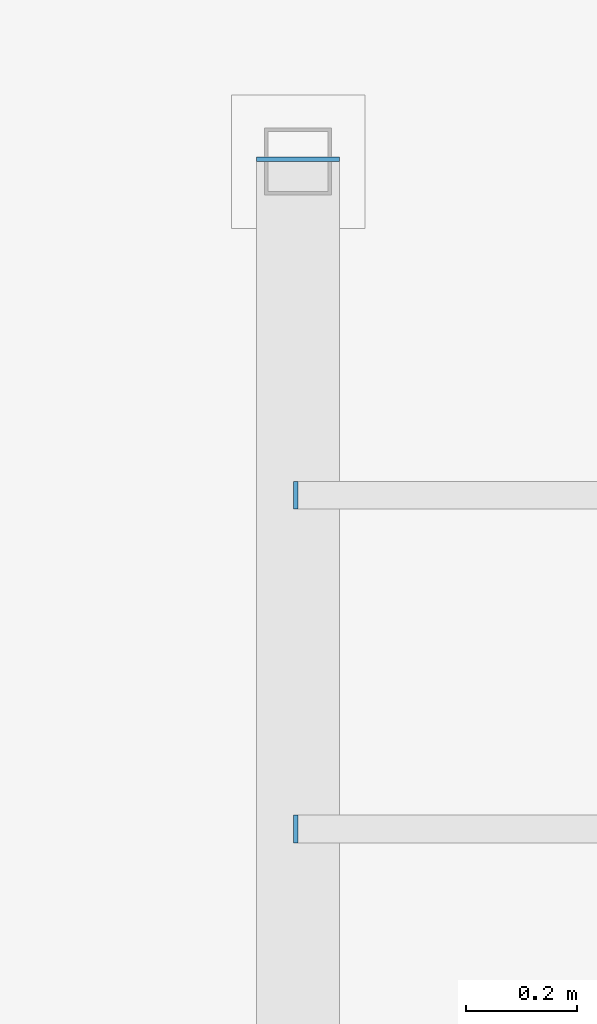
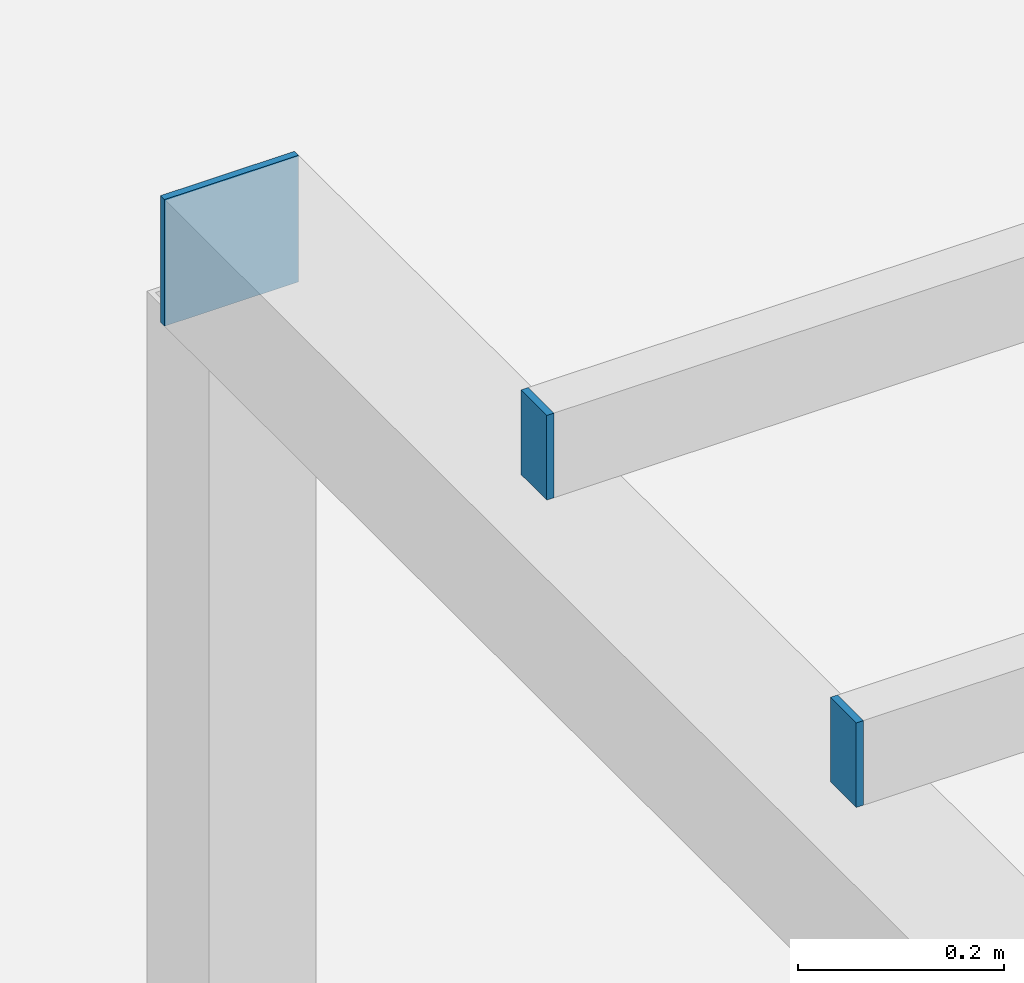
# One storey, part 77 of 92: 3 discrete accessories.
"""IFC4 building model written with IfcOpenShell, lengths in metres."""

from ifc_helpers import new_model, si_unit, direction, frame, origin, origin_2d, place, context, subcontext, project, spatial, rectangle, extrude, material, material_profile, profile_set, type_object, element, save


model = new_model("IFC4")

# Units and contexts
model_context = context("Model", 3, precision=1e-05, world=origin(), true_north=direction((0.0, 1.0)))
body_context = subcontext(model_context, "Body", "Model", "MODEL_VIEW")
ifc_project = project(units=[si_unit("LENGTHUNIT", "METRE"), si_unit("AREAUNIT", "SQUARE_METRE"), si_unit("VOLUMEUNIT", "CUBIC_METRE"), si_unit("PLANEANGLEUNIT", "RADIAN"), si_unit("MASSUNIT", "GRAM", prefix="KILO")], contexts=[model_context])

# Site, building, storey
site_placement = place(None, origin())
site = spatial("IfcSite", under=ifc_project, at=site_placement, CompositionType="ELEMENT")
building_placement = place(site_placement, origin())
building = spatial("IfcBuilding", under=site, at=building_placement, Name="Laocheng Heights Fire and Rescue Headquarters", CompositionType="ELEMENT")
storey_placement = place(building_placement, frame((0.0, 0.0, 12.60009765625)))
storey = spatial("IfcBuildingStorey", under=building, at=storey_placement, Name="L03", CompositionType="ELEMENT", Elevation=12.60009765625)

# Discrete accessories
ifc_material_1 = material(Name="Steel Q355B", Category="steel")
ifc_material_profile_1 = material_profile(ifc_material_1, rectangle(XDim=0.14990234375, YDim=0.14990234375, at=origin_2d()), Name="END CAP PLATE 150 x 150 x 8 FOR STEEL TRELLIS BEAM RHS 150x150x6")
ifc_profile_set_1 = profile_set([ifc_material_profile_1], Name="Steel Q355B")
discrete_accessory_type_1 = type_object("IfcDiscreteAccessoryType", Name="END CAP PLATE 150 x 150 x 8 FOR STEEL TRELLIS BEAM RHS 150x150x6", PredefinedType="BRACKET", material=ifc_profile_set_1)
discrete_accessory_placement = place(storey_placement, frame((55.199951171875, 14.60009765625, 2.625), z_axis=(0.0, 1.0, 0.0), x_axis=(-1.0, 0.0, 0.0)))
element("IfcDiscreteAccessory", 1, at=discrete_accessory_placement, inside=storey, type_object=discrete_accessory_type_1, Name="Cap plate at Trellis beam end 2", PredefinedType="BRACKET", context=body_context, shape_type="SweptSolid", body=[
    extrude(rectangle(XDim=0.14990234375, YDim=0.14990234375, at=origin_2d()), origin(), (0.0, 0.0, 1.0), 0.0078125),
])
ifc_material_2 = material(Name="Steel Q355B", Category="steel")
ifc_material_profile_2 = material_profile(ifc_material_2, rectangle(XDim=0.050048828125, YDim=0.10009765625, at=origin_2d()), Name="END CAP PLATE 50 x 100 x 8 FOR STEEL TRELLIS JOIST RHS 100x50x4")
ifc_profile_set_2 = profile_set([ifc_material_profile_2], Name="Steel Q355B")
discrete_accessory_type_2 = type_object("IfcDiscreteAccessoryType", Name="END CAP PLATE 50 x 100 x 8 FOR STEEL TRELLIS JOIST RHS 100x50x4", PredefinedType="BRACKET", material=ifc_profile_set_2)
for number, where, z_axis, x_axis, name in (
    (2, (55.19189453125, 13.39990234375, 2.75), (1.0, 0.0, 0.0), (0.0, 1.0, 0.0), "Cap plate at Trellis E flank joist end 1"),
    (3, (55.19189453125, 14.0, 2.75), (1.0, 0.0, 0.0), (0.0, 1.0, 0.0), "Cap plate at Trellis E flank joist end 1"),
):
    element("IfcDiscreteAccessory", number, at=place(storey_placement, frame(where, z_axis=z_axis, x_axis=x_axis)), inside=storey, type_object=discrete_accessory_type_2, Name=name, PredefinedType="BRACKET", context=body_context, shape_type="SweptSolid", body=[
        extrude(rectangle(XDim=0.050048828125, YDim=0.10009765625, at=origin_2d()), origin(), (0.0, 0.0, 1.0), 0.008056640625),
    ])

save(model, "model.ifc")
